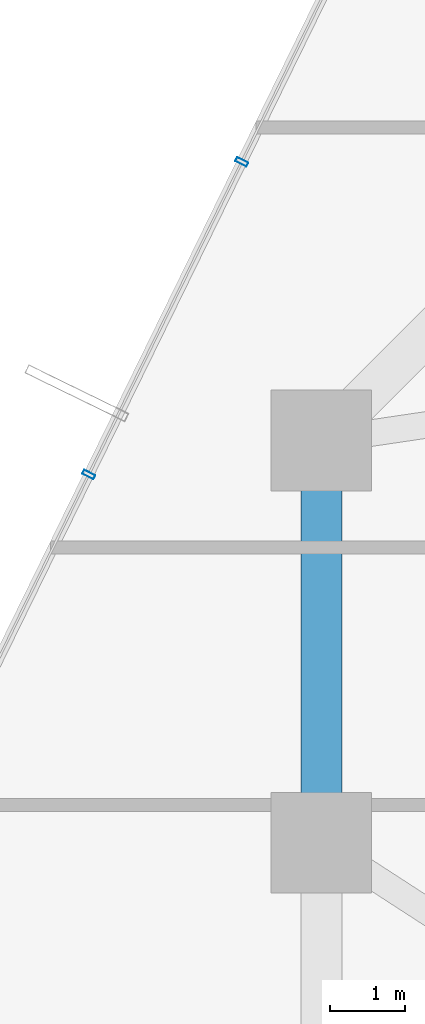
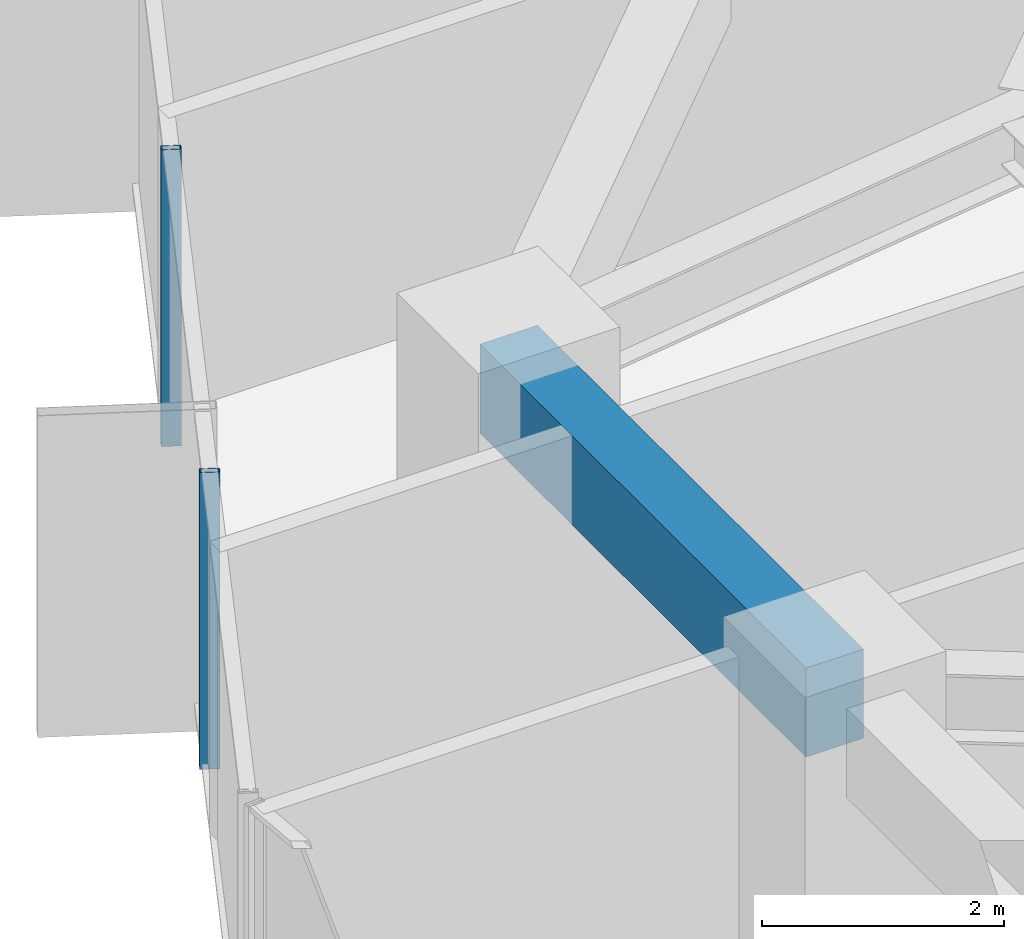
# One storey, part 12 of 37: 2 members, 1 beam, 1 element without a shape of its own.
"""IFC4 building model written with IfcOpenShell, lengths in metres."""

import ifcopenshell
import ifcopenshell.guid

model = None  # the IFC model being written
_history = None  # IfcOwnerHistory: only IFC2X3 demands one
_inside = {}  # id of a spatial element -> (the spatial element, [elements in it])
_under = {}  # id of a project, library or spatial element -> (it, [spatial elements below it])
_declared = {}  # id of a project -> (the project, [libraries it declares])
_typed = {}  # id of a type object -> (the type object, [elements of that type])
_made_of = {}  # id of a material, layer set ... -> (it, [elements and type objects made of it])


def new_model(schema):
    """Start an empty IFC model of exactly this schema.

    Asked for "IFC4X3", IfcOpenShell would pick the latest addendum, in which some entities
    have other attributes; the version numbers below select the first issue.
    IFC2X3 requires an IfcOwnerHistory on every rooted entity: one is made here for all.
    """
    global model, _history
    if schema == "IFC4X3":
        model = ifcopenshell.file(schema_version=(4, 3, 0, 0))
    else:
        model = ifcopenshell.file(schema=schema)
    _inside.clear()
    _under.clear()
    _declared.clear()
    _typed.clear()
    _made_of.clear()
    _history = None
    if model.schema == "IFC2X3":
        org = make("IfcOrganization", Name="unknown")
        user = make(
            "IfcPersonAndOrganization",
            ThePerson=make("IfcPerson", FamilyName="unknown"),
            TheOrganization=org,
        )
        app = make(
            "IfcApplication",
            ApplicationDeveloper=org,
            Version="unknown",
            ApplicationFullName="unknown",
            ApplicationIdentifier="unknown",
        )
        _history = make(
            "IfcOwnerHistory",
            OwningUser=user,
            OwningApplication=app,
            ChangeAction="ADDED",
            CreationDate=0,
        )
    return model


def make(cls, **values):
    """One entity of the class cls with the attributes given. An attribute that is None is left unset."""
    return model.create_entity(
        cls, **{name: value for name, value in values.items() if value is not None}
    )


def rooted(cls, **values):
    """An entity with a GlobalId (a new one), such as an element, a storey or a relation."""
    return make(cls, GlobalId=ifcopenshell.guid.new(), OwnerHistory=_history, **values)


def si_unit(unit_type, name, prefix=None):
    """IfcSIUnit, for example si_unit("LENGTHUNIT", "METRE", prefix="MILLI")."""
    return make("IfcSIUnit", UnitType=unit_type, Prefix=prefix, Name=name)


def assignment(units):
    """IfcUnitAssignment: the units of a project."""
    return None if units is None else make("IfcUnitAssignment", Units=units)


def point(xyz):
    """IfcCartesianPoint."""
    return None if xyz is None else make("IfcCartesianPoint", Coordinates=xyz)


def direction(xyz):
    """IfcDirection."""
    return None if xyz is None else make("IfcDirection", DirectionRatios=xyz)


def frame(location, z_axis=None, x_axis=None):
    """IfcAxis2Placement3D, a coordinate frame: its origin and axes. An axis left out is left unset."""
    return make(
        "IfcAxis2Placement3D",
        Location=point(location),
        Axis=direction(z_axis),
        RefDirection=direction(x_axis),
    )


def frame_2d(location, x_axis=None):
    """IfcAxis2Placement2D, a coordinate frame in the plane: its origin and x axis."""
    return make(
        "IfcAxis2Placement2D", Location=point(location), RefDirection=direction(x_axis)
    )


def origin():
    """The frame at (0, 0, 0) with its axes left unset."""
    return frame((0.0, 0.0, 0.0))


def origin_2d():
    """The frame at (0, 0) in the plane with its x axis left unset."""
    return frame_2d((0.0, 0.0))


def place(relative_to, where):
    """IfcLocalPlacement: puts the frame where relative to a parent placement (None: the world)."""
    return make(
        "IfcLocalPlacement", PlacementRelTo=relative_to, RelativePlacement=where
    )


def context(
    kind, dimensions, precision=None, world=None, true_north=None, identifier=None
):
    """IfcGeometricRepresentationContext, for example the 3D "Model" context."""
    return make(
        "IfcGeometricRepresentationContext",
        ContextIdentifier=identifier,
        ContextType=kind,
        CoordinateSpaceDimension=dimensions,
        Precision=precision,
        WorldCoordinateSystem=world,
        TrueNorth=true_north,
    )


def subcontext(parent, identifier, kind, view, scale=None):
    """IfcGeometricRepresentationSubContext, for example "Body" below "Model"."""
    return make(
        "IfcGeometricRepresentationSubContext",
        ContextIdentifier=identifier,
        ContextType=kind,
        ParentContext=parent,
        TargetScale=scale,
        TargetView=view,
    )


def project(units=None, contexts=None):
    """IfcProject with its units and contexts."""
    return rooted(
        "IfcProject",
        Name="project",
        RepresentationContexts=contexts,
        UnitsInContext=assignment(units),
    )


def spatial(cls, under=None, at=None, **own):
    """A site, building, storey or space (cls), placed at a placement, below another one or the project."""
    s = rooted(cls, ObjectPlacement=at, **own)
    if under is not None:
        _under.setdefault(under.id(), (under, []))[1].append(s)
    return s


def profile(cls, at=None, kind="AREA", **sizes):
    """A parametric profile (cls). Its sizes go by their IFC names, for example OverallWidth=200.0."""
    return make(cls, ProfileType=kind, Position=at, **sizes)


def rectangle(**sizes):
    """IfcRectangleProfileDef."""
    return profile("IfcRectangleProfileDef", **sizes)


def hollow_rectangle(**sizes):
    """IfcRectangleHollowProfileDef."""
    return profile("IfcRectangleHollowProfileDef", **sizes)


def extrude(swept, where, along, depth):
    """IfcExtrudedAreaSolid: the profile swept, set in the frame where, extruded along a direction by depth."""
    return make(
        "IfcExtrudedAreaSolid",
        SweptArea=swept,
        Position=where,
        ExtrudedDirection=direction(along),
        Depth=depth,
    )


def shape(context_of_items, identifier, shape_type, items):
    """IfcShapeRepresentation: the items that make up one representation, for example the "Body"."""
    return make(
        "IfcShapeRepresentation",
        ContextOfItems=context_of_items,
        RepresentationIdentifier=identifier,
        RepresentationType=shape_type,
        Items=items,
    )


def source(mapping_origin, context_of_items, identifier, shape_type, items):
    """IfcRepresentationMap: a shape defined once, which mapped items show again and again."""
    return make(
        "IfcRepresentationMap",
        MappingOrigin=mapping_origin,
        MappedRepresentation=shape(context_of_items, identifier, shape_type, items),
    )


def transform(
    local_origin,
    x_axis=None,
    y_axis=None,
    z_axis=None,
    scale=None,
    scale2=None,
    scale3=None,
    uniform=True,
):
    """IfcCartesianTransformationOperator3D, or its non-uniform kind. x_axis, y_axis, z_axis: its Axis1, 2, 3."""
    if uniform:
        return make(
            "IfcCartesianTransformationOperator3D",
            Axis1=direction(x_axis),
            Axis2=direction(y_axis),
            LocalOrigin=point(local_origin),
            Scale=scale,
            Axis3=direction(z_axis),
        )
    return make(
        "IfcCartesianTransformationOperator3DnonUniform",
        Axis1=direction(x_axis),
        Axis2=direction(y_axis),
        LocalOrigin=point(local_origin),
        Scale=scale,
        Axis3=direction(z_axis),
        Scale2=scale2,
        Scale3=scale3,
    )


def mapped(mapping_source, mapping_target):
    """IfcMappedItem: shows the shape of a source again, moved by a transform."""
    return make(
        "IfcMappedItem", MappingSource=mapping_source, MappingTarget=mapping_target
    )


def material(Name=None, Category=None):
    """IfcMaterial."""
    return make("IfcMaterial", Name=Name, Category=Category)


def layer(
    of_material, thickness, ventilated=None, Name=None, Category=None, Priority=None
):
    """IfcMaterialLayer: one layer of a wall or slab, of a material (None: an air gap)."""
    return make(
        "IfcMaterialLayer",
        Material=of_material,
        LayerThickness=thickness,
        IsVentilated=ventilated,
        Name=Name,
        Category=Category,
        Priority=Priority,
    )


def layer_set(layers, Name=None):
    """IfcMaterialLayerSet."""
    return make("IfcMaterialLayerSet", MaterialLayers=layers, LayerSetName=Name)


def material_profile(
    of_material, cross_section, Name=None, Category=None, Priority=None
):
    """IfcMaterialProfile: a cross section and its material."""
    return make(
        "IfcMaterialProfile",
        Name=Name,
        Material=of_material,
        Profile=cross_section,
        Priority=Priority,
        Category=Category,
    )


def profile_set(profiles, Name=None, composite=None):
    """IfcMaterialProfileSet."""
    return make(
        "IfcMaterialProfileSet",
        Name=Name,
        MaterialProfiles=profiles,
        CompositeProfile=composite,
    )


def made_of(thing, what):
    """Note that an element or type object is made of a material, layer set ...; save() writes the relation."""
    if what is not None:
        _made_of.setdefault(what.id(), (what, []))[1].append(thing)
    return thing


def type_object(cls, material=None, **own):
    """A type object (cls), such as IfcWallType, which elements share."""
    return made_of(rooted(cls, **own), material)


def element(
    cls,
    number,
    at=None,
    inside=None,
    cuts=None,
    type_object=None,
    material=None,
    context=None,
    identifier="Body",
    shape_type=None,
    held_by="IfcProductDefinitionShape",
    body=None,
    shapes=None,
    **own,
):
    """One element of the class cls, such as IfcWall. Its Tag is "e" and its number.

    at: its placement. inside: the storey or other place that contains it. cuts: it is an
    opening in that element (IfcRelVoidsElement). A single representation is given by context,
    identifier, shape_type and body (its items); several are given by shapes. held_by: the class
    of the entity that holds the representations. save() writes the other relations.
    """
    e = rooted(cls, Tag="e%d" % number, ObjectPlacement=at, **own)
    if body is not None:
        shapes = [shape(context, identifier, shape_type, body)]
    if shapes is not None:
        e.Representation = make(held_by, Representations=shapes)
    if inside is not None:
        _inside.setdefault(inside.id(), (inside, []))[1].append(e)
    if cuts is not None:
        rooted(
            "IfcRelVoidsElement", RelatingBuildingElement=cuts, RelatedOpeningElement=e
        )
    if type_object is not None:
        _typed.setdefault(type_object.id(), (type_object, []))[1].append(e)
    return made_of(e, material)


def aggregate(whole, parts):
    """IfcRelAggregates: a whole, such as a stair, and the parts it consists of."""
    return rooted("IfcRelAggregates", RelatingObject=whole, RelatedObjects=parts)


def save(model, path):
    """Write the relations noted so far, then the file.

    IfcRelAggregates (storeys below a building ...), IfcRelContainedInSpatialStructure (elements
    in a storey), IfcRelDefinesByType, IfcRelAssociatesMaterial and IfcRelDeclares: one each for
    every whole, place, type object, material and project.
    """
    for whole, parts in _under.values():
        aggregate(whole, parts)
    for where, things in _inside.values():
        rooted(
            "IfcRelContainedInSpatialStructure",
            RelatedElements=things,
            RelatingStructure=where,
        )
    for kind, things in _typed.values():
        rooted("IfcRelDefinesByType", RelatedObjects=things, RelatingType=kind)
    for what, things in _made_of.values():
        rooted("IfcRelAssociatesMaterial", RelatedObjects=things, RelatingMaterial=what)
    for by, libraries in _declared.values():
        rooted("IfcRelDeclares", RelatingContext=by, RelatedDefinitions=libraries)
    model.write(path)


model = new_model("IFC4")

# Units and contexts
model_context = context("Model", 3, precision=1e-05, world=origin(), true_north=direction((0.0, 1.0)))
body_context = subcontext(model_context, "Body", "Model", "MODEL_VIEW")
ifc_project = project(units=[si_unit("LENGTHUNIT", "METRE"), si_unit("AREAUNIT", "SQUARE_METRE"), si_unit("VOLUMEUNIT", "CUBIC_METRE"), si_unit("PLANEANGLEUNIT", "RADIAN"), si_unit("MASSUNIT", "GRAM", prefix="KILO")], contexts=[model_context])

# Site, building, storey
site_placement = place(None, origin())
site = spatial("IfcSite", under=ifc_project, at=site_placement, CompositionType="ELEMENT")
building_placement = place(site_placement, origin())
building = spatial("IfcBuilding", under=site, at=building_placement, Name="Veraguas Prism Commons", CompositionType="ELEMENT")
storey_placement = place(building_placement, frame((0.0, 0.0, 37.050048828125)))
storey = spatial("IfcBuildingStorey", under=building, at=storey_placement, Name="L09", CompositionType="ELEMENT", Elevation=37.050048828125)

# Beam
ifc_material_1 = material(Name="Concrete C50/60", Category="concrete")
ifc_material_profile_1 = material_profile(ifc_material_1, rectangle(XDim=0.550048828125, YDim=0.89990234375, at=origin_2d()), Name="RC550X900")
ifc_profile_set_1 = profile_set([ifc_material_profile_1], Name="Concrete C50/60")
beam_type = type_object("IfcBeamType", Name="Perimeter Spandrel Lower RC 550x900", PredefinedType="SPANDREL", material=ifc_profile_set_1)
beam_placement = place(storey_placement, frame((6.39990234375, 29.39990234375, 2.550048828125), z_axis=(0.0, -1.0, 0.0), x_axis=(1.0, 0.0, 0.0)))
element("IfcBeam", 1, at=beam_placement, inside=storey, type_object=beam_type, Name="Perimeter Spandrel Beam L09-SP07", PredefinedType="SPANDREL", context=body_context, shape_type="SweptSolid", body=[
    extrude(rectangle(XDim=0.550048828125, YDim=0.89990234375, at=origin_2d()), origin(), (0.0, 0.0, 1.0), 5.39990234375),
])

# Curtain wall, members
ifc_material_2 = material(Name="Anodised aluminium EN AW-6063 T6", Category="aluminium")
ifc_layer = layer(ifc_material_2, 0.169921875, Name="Unitised Flush Curtain Wall Zone 1", Category="aluminium")
ifc_layer_set = layer_set([ifc_layer], Name="Anodised aluminium EN AW-6063 T6")
curtain_wall_type = type_object("IfcCurtainWallType", Name="Unitised Flush Curtain Wall Zone 1", PredefinedType="NOTDEFINED", material=ifc_layer_set)
curtain_wall_placement = place(storey_placement, origin())
curtain_wall = element("IfcCurtainWall", 2, at=curtain_wall_placement, inside=storey, type_object=curtain_wall_type, Name="Tower Facade Curtain Wall L09-F3", PredefinedType="NOTDEFINED")
ifc_material_profile_2 = material_profile(ifc_material_2, hollow_rectangle(XDim=0.06005859375, YDim=0.169921875, WallThickness=0.00390625, at=origin_2d()), Name="AL60X170X4")
ifc_profile_set_2 = profile_set([ifc_material_profile_2], Name="Anodised aluminium EN AW-6063 T6")
member_type = type_object("IfcMemberType", Name="Curtain Wall Mullion Lower AL 60x170x4", PredefinedType="MULLION", material=ifc_profile_set_2)
shared_shape = source(origin(), body_context, "Body", "SweptSolid", [
    extrude(hollow_rectangle(XDim=0.06005859375, YDim=0.169921875, WallThickness=0.00390625, at=origin_2d()), origin(), (0.0, 0.0, 1.0), 3.0),
])
member_1_placement = place(storey_placement, frame((5.33154296875, 33.137451171875, 0.0), z_axis=(0.0, 0.0, 1.0), x_axis=(-0.4396256723, -0.898181088787, 0.0)))
member_1 = element("IfcMember", 3, at=member_1_placement, type_object=member_type, Name="CW-Z1 Mullion 3", PredefinedType="MULLION", context=body_context, shape_type="MappedRepresentation", body=[
    mapped(shared_shape, transform((0.0, 0.0, 0.0), scale=1.0)),
])
member_2_placement = place(storey_placement, frame((3.278076171875, 28.942138671875, 0.0), z_axis=(0.0, 0.0, 1.0), x_axis=(-0.4396256723, -0.898181088787, 0.0)))
member_2 = element("IfcMember", 4, at=member_2_placement, type_object=member_type, Name="CW-Z1 Mullion 4", PredefinedType="MULLION", context=body_context, shape_type="MappedRepresentation", body=[
    mapped(shared_shape, transform((0.0, 0.0, 0.0), scale=1.0)),
])
aggregate(curtain_wall, [member_1, member_2])

save(model, "model.ifc")
